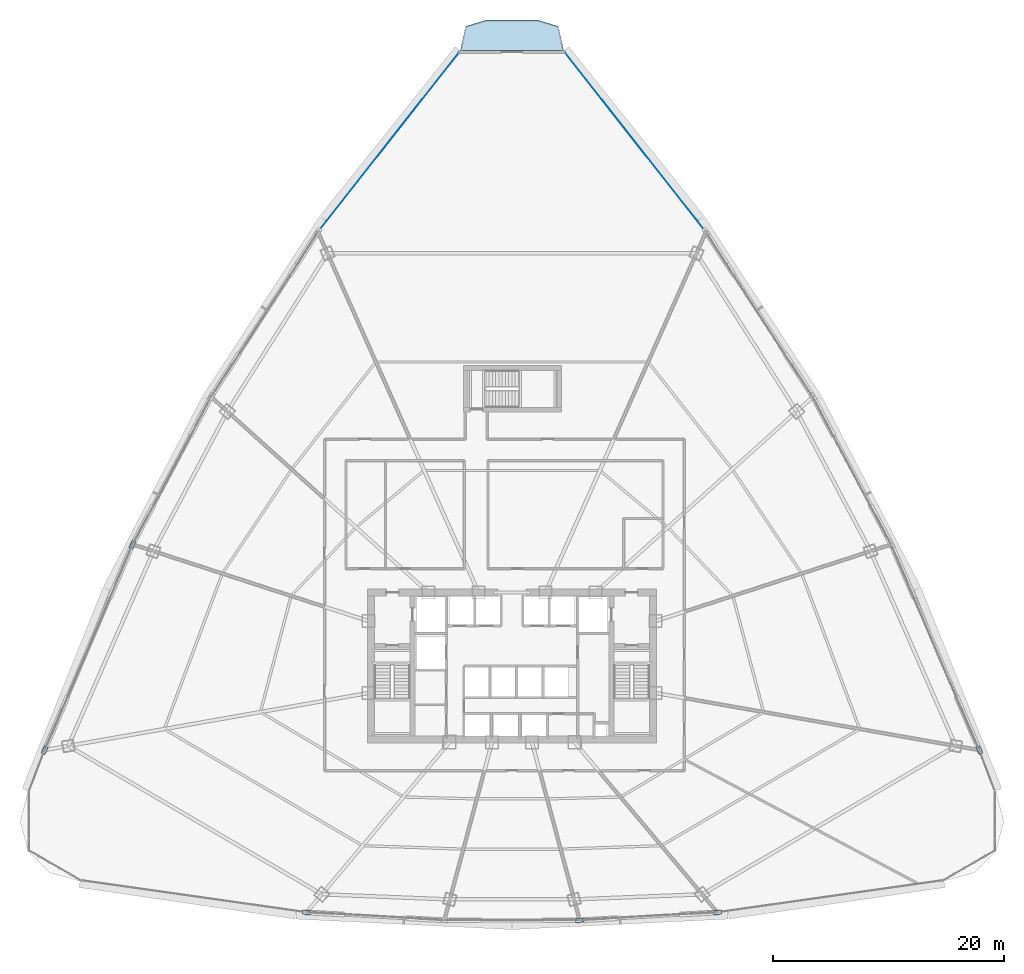
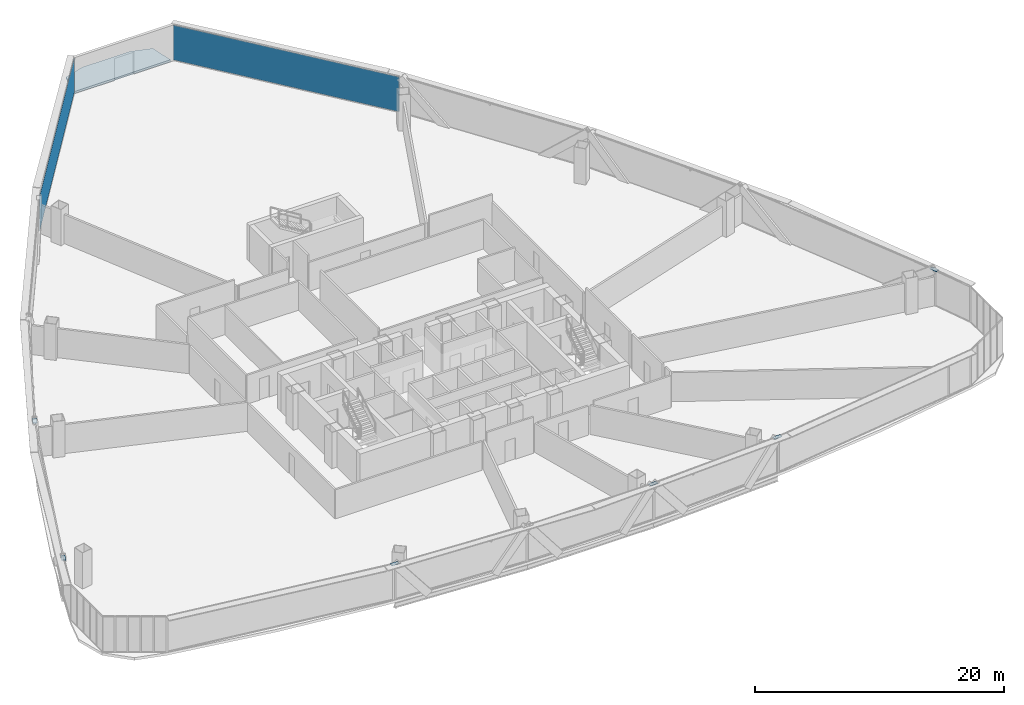
# One storey, part 31 of 39: 8 plates, 1 slab, 2 elements without a shape of their own.
"""IFC4 building model written with IfcOpenShell, lengths in metres."""

from ifc_helpers import new_model, si_unit, direction, frame, origin, origin_2d, place, context, subcontext, project, spatial, polyline, rectangle, outline, extrude, source, transform, mapped, material, layer, layer_set, type_object, element, aggregate, save


model = new_model("IFC4")

# Units and contexts
model_context = context("Model", 3, precision=1e-05, world=origin(), true_north=direction((0.0, 1.0)))
body_context = subcontext(model_context, "Body", "Model", "MODEL_VIEW")
ifc_project = project(units=[si_unit("LENGTHUNIT", "METRE"), si_unit("AREAUNIT", "SQUARE_METRE"), si_unit("VOLUMEUNIT", "CUBIC_METRE"), si_unit("PLANEANGLEUNIT", "RADIAN"), si_unit("MASSUNIT", "GRAM", prefix="KILO"), si_unit("THERMODYNAMICTEMPERATUREUNIT", "KELVIN"), si_unit("POWERUNIT", "WATT")], contexts=[model_context])

# Site, building, storey
site_placement = place(None, origin())
site = spatial("IfcSite", under=ifc_project, at=site_placement, CompositionType="ELEMENT")
building_placement = place(site_placement, origin())
building = spatial("IfcBuilding", under=site, at=building_placement, Name="Yunzhuo Pagoda Commons", CompositionType="ELEMENT")
storey_placement = place(building_placement, frame((0.0, 0.0, 92.580078125)))
storey = spatial("IfcBuildingStorey", under=building, at=storey_placement, Name="L23", CompositionType="ELEMENT", Elevation=92.580078125)

# Slab
ifc_material_1 = material(Name="Concrete C40", Category="concrete")
ifc_layer_1 = layer(ifc_material_1, 0.199951171875)
ifc_layer_set_1 = layer_set([ifc_layer_1], Name="Concrete C40")
slab_type = type_object("IfcSlabType", Name="SL-BAL Vertex Balcony Deck Slab 200", PredefinedType="FLOOR", material=ifc_layer_set_1)
slab_placement = place(storey_placement, frame((0.0, 0.0, -0.2001953125)))
element("IfcSlab", 1, at=slab_placement, inside=storey, type_object=slab_type, Name="L23 corner balcony V3", PredefinedType="FLOOR", context=body_context, shape_type="SweptSolid", body=[
    extrude(outline(polyline([(52.46240234375, 87.039794921875), (43.53759765625, 87.039794921875), (43.987548828125, 89.134765625), (45.768798828125, 89.684814453125), (50.231201171875, 89.684814453125), (52.012451171875, 89.134765625), (52.46240234375, 87.039794921875)])), origin(), (0.0, 0.0, 1.0), 0.2001953125),
])

# Plates
ifc_material_2 = material(Name="Structural steel Q355B", Category="steel")
ifc_layer_2 = layer(ifc_material_2, 0.028076171875)
ifc_layer_set_2 = layer_set([ifc_layer_2], Name="Structural steel Q355B")
plate_type_1 = type_object("IfcPlateType", Name="SP-ND1 Lattice Node Cap Plate 800x500x28", PredefinedType="USERDEFINED", material=ifc_layer_set_2)
shared_shape_1 = source(origin(), body_context, "Body", "SweptSolid", [
    extrude(rectangle(XDim=0.699951171875, YDim=0.35009765625, at=origin_2d()), origin(), (0.0, 0.0, 1.0), 0.035888671875),
])
for number, where, z_axis, x_axis, name in (
    (2, (30.25048828125, 12.547119140625, 3.501953125), (0.0, 0.0, 1.0), (0.998356852628, -0.057302659713, 0.0), "L23 setback lattice tie plate F1.1L"),
    (3, (53.850830078125, 11.8642578125, 3.501953125), (0.0, 0.0, 1.0), (0.998356852628, 0.057302659713, 0.0), "L23 setback lattice tie plate F1.3L"),
    (4, (65.74951171875, 12.547119140625, 3.501953125), (0.0, 0.0, 1.0), (0.998356852628, 0.057302659713, 0.0), "L23 setback lattice tie plate F1.3R"),
    (5, (88.40380859375, 26.57568359375, 3.501953125), (0.0, 0.0, 1.0), (-0.393364322102, 0.919382678811, 0.0), "L23 setback lattice tie plate F2.1L"),
    (6, (15.20361328125, 44.356201171875, 3.501953125), (0.0, 0.0, 1.0), (-0.393364322102, -0.919382678811, 0.0), "L23 setback lattice tie plate F3.3L"),
    (7, (7.59619140625, 26.57568359375, 3.501953125), (0.0, 0.0, 1.0), (-0.393364322102, -0.919382678811, 0.0), "L23 setback lattice tie plate F3.3R"),
):
    element("IfcPlate", number, at=place(storey_placement, frame(where, z_axis=z_axis, x_axis=x_axis)), inside=storey, type_object=plate_type_1, Name=name, ObjectType="STIFFENER_PLATE", PredefinedType="USERDEFINED", context=body_context, shape_type="MappedRepresentation", body=[
        mapped(shared_shape_1, transform((0.0, 0.0, 0.0), scale=1.0)),
    ])

# Curtain wall, plate
ifc_material_3 = material(Name="Anodized aluminium 6063-T6", Category="aluminium")
ifc_layer_3 = layer(ifc_material_3, 0.1650390625)
ifc_layer_set_3 = layer_set([ifc_layer_3], Name="Anodized aluminium 6063-T6")
curtain_wall_type = type_object("IfcCurtainWallType", Name="CW-LOW Low-Zone Ribbon Curtain Wall", PredefinedType="NOTDEFINED", material=ifc_layer_set_3)
curtain_wall_1_placement = place(storey_placement, origin())
curtain_wall_1 = element("IfcCurtainWall", 8, at=curtain_wall_1_placement, inside=storey, type_object=curtain_wall_type, Name="L23 curtain wall CW-L23-F2B5", PredefinedType="NOTDEFINED")
ifc_material_4 = material(Name="Tempered low-e double glazing", Category="glass")
ifc_layer_4 = layer(ifc_material_4, 0.028076171875)
ifc_layer_set_4 = layer_set([ifc_layer_4], Name="Tempered low-e double glazing")
plate_type_2 = type_object("IfcPlateType", Name="CW-LOW-P Low-E Double Glazing 28", PredefinedType="CURTAIN_PANEL", material=ifc_layer_set_4)
shared_shape_2 = source(origin(), body_context, "Body", "SweptSolid", [
    extrude(rectangle(XDim=19.558349609375, YDim=0.028076171875, at=origin_2d()), origin(), (0.0, 0.0, 1.0), 3.419921875),
])
plate_1_placement = place(storey_placement, frame((58.640625, 79.1650390625, 0.06005859375), z_axis=(0.0, 0.0, 1.0), x_axis=(-0.617953216301, 0.786214870416, 0.0)))
plate_1 = element("IfcPlate", 9, at=plate_1_placement, type_object=plate_type_2, Name="CW panel 1.1", PredefinedType="CURTAIN_PANEL", context=body_context, shape_type="MappedRepresentation", body=[
    mapped(shared_shape_2, transform((0.0, 0.0, 0.0), scale=1.0)),
])
aggregate(curtain_wall_1, [plate_1])

curtain_wall_2_placement = place(storey_placement, origin())
curtain_wall_2 = element("IfcCurtainWall", 10, at=curtain_wall_2_placement, inside=storey, type_object=curtain_wall_type, Name="L23 curtain wall CW-L23-F3B1", PredefinedType="NOTDEFINED")
plate_2_placement = place(storey_placement, frame((37.359375, 79.1650390625, 0.06005859375), z_axis=(0.0, 0.0, 1.0), x_axis=(-0.617953216301, -0.786214870416, 0.0)))
plate_2 = element("IfcPlate", 11, at=plate_2_placement, type_object=plate_type_2, Name="CW panel 1.1", PredefinedType="CURTAIN_PANEL", context=body_context, shape_type="MappedRepresentation", body=[
    mapped(shared_shape_2, transform((0.0, 0.0, 0.0), scale=1.0)),
])
aggregate(curtain_wall_2, [plate_2])

save(model, "model.ifc")
